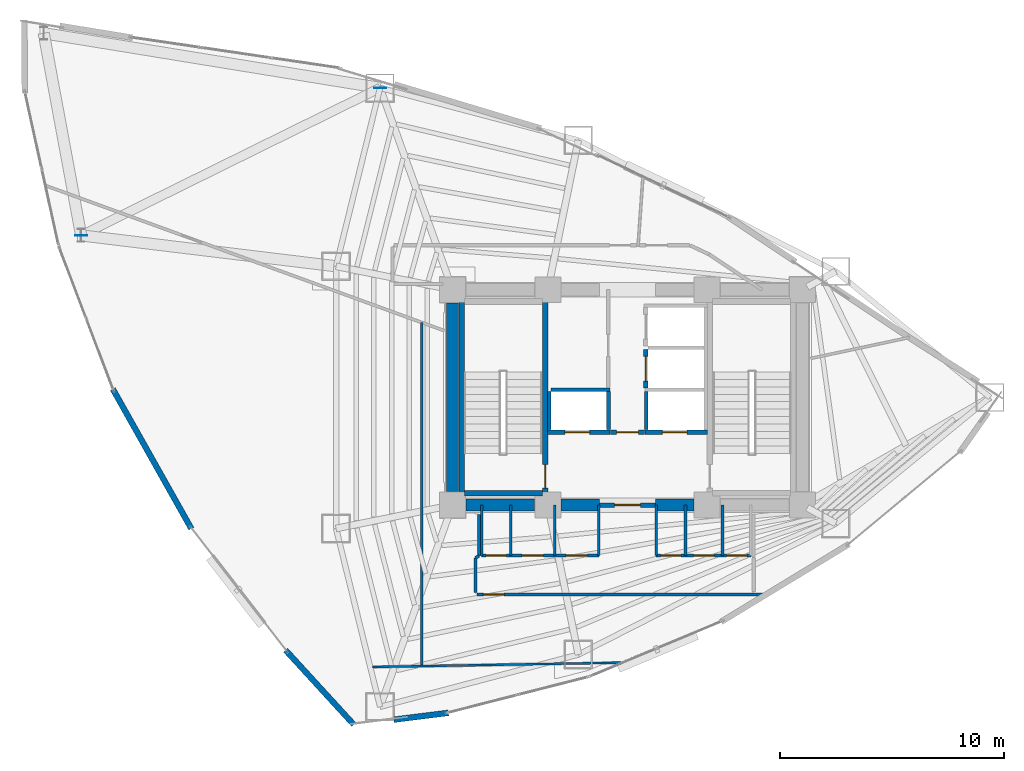
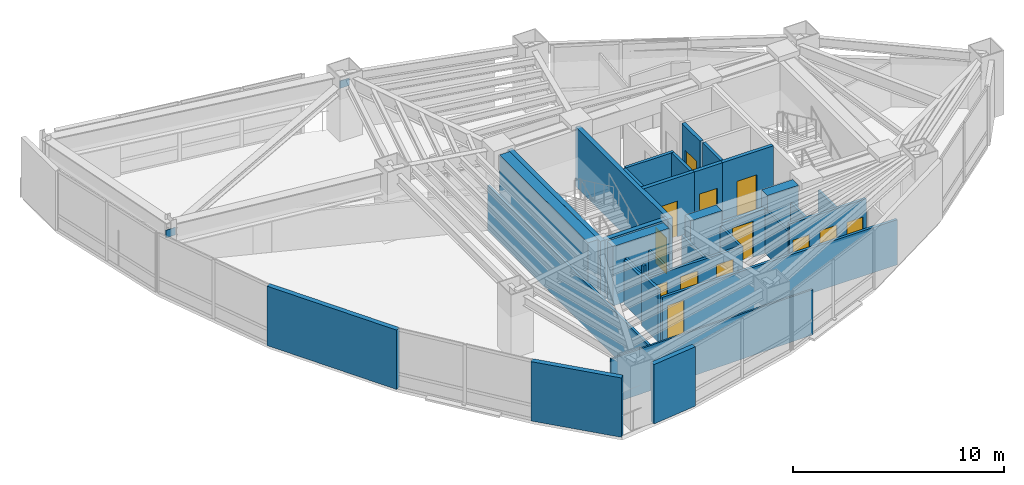
# One storey, part 19 of 25: 34 walls, 13 doors, 2 plates, 13 openings.
"""IFC4 building model written with IfcOpenShell, lengths in metres."""

from ifc_helpers import new_model, si_unit, direction, frame, frame_2d, origin, origin_2d, place, context, subcontext, project, spatial, rectangle, extrude, material, layer, layer_set, type_object, element, fill, save


model = new_model("IFC4")

# Units and contexts
model_context = context("Model", 3, precision=1e-05, world=origin(), true_north=direction((0.0, 1.0)))
body_context = subcontext(model_context, "Body", "Model", "MODEL_VIEW")
ifc_project = project(units=[si_unit("LENGTHUNIT", "METRE"), si_unit("AREAUNIT", "SQUARE_METRE"), si_unit("VOLUMEUNIT", "CUBIC_METRE"), si_unit("PLANEANGLEUNIT", "RADIAN"), si_unit("MASSUNIT", "GRAM", prefix="KILO")], contexts=[model_context])

# Site, building, storey
site_placement = place(None, origin())
site = spatial("IfcSite", under=ifc_project, at=site_placement, CompositionType="ELEMENT")
building_placement = place(site_placement, origin())
building = spatial("IfcBuilding", under=site, at=building_placement, Name="Menara Vayukalpa", CompositionType="ELEMENT")
storey_placement = place(building_placement, frame((0.0, 0.0, 115.139892578125)))
storey = spatial("IfcBuildingStorey", under=building, at=storey_placement, Name="L28", CompositionType="ELEMENT", Elevation=115.139892578125)

# Plates
ifc_material_1 = material(Name="Steel S355", Category="steel")
ifc_layer_1 = layer(ifc_material_1, 0.028076171875)
ifc_layer_set_1 = layer_set([ifc_layer_1], Name="Steel S355")
plate_type = type_object("IfcPlateType", Name="PLT-END1", PredefinedType="USERDEFINED", material=ifc_layer_set_1)
for number, where, z_axis, x_axis, name in (
    (1, (14.569091796875, 35.79736328125, 2.59521484375), (0.0, 0.0, 1.0), (1.0, 0.0, 0.0), "L28 Structural Brace End Gusset Plate 037"),
    (2, (1.239990234375, 29.22314453125, 2.59521484375), (0.0, 0.0, 1.0), (1.0, 0.0, 0.0), "L28 Structural Brace End Gusset Plate 038"),
):
    element("IfcPlate", number, at=place(storey_placement, frame(where, z_axis=z_axis, x_axis=x_axis)), inside=storey, type_object=plate_type, Name=name, ObjectType="GUSSET_PLATE", PredefinedType="USERDEFINED", context=body_context, shape_type="SweptSolid", body=[
        extrude(rectangle(XDim=0.5400390625, YDim=0.028076171875, at=origin_2d()), origin(), (0.0, 0.0, 1.0), 0.43994140625),
    ])

# Walls
ifc_material_2 = material(Name="Concrete C60/75", Category="concrete")
ifc_layer_2 = layer(ifc_material_2, 0.550048828125)
ifc_layer_set_2 = layer_set([ifc_layer_2], Name="Concrete C60/75")
wall_type_1 = type_object("IfcWallType", Name="WAL-CW550", PredefinedType="SHEAR", material=ifc_layer_set_2)
wall_1_placement = place(storey_placement, frame((18.39501953125, 17.199951171875, 0.0), z_axis=(0.0, 0.0, 1.0), x_axis=(1.0, 0.0, 0.0)))
element("IfcWall", 3, at=wall_1_placement, inside=storey, type_object=wall_type_1, Name="L28 Buttressed Core Shear Wall CWS1", PredefinedType="SHEAR", context=body_context, shape_type="SweptSolid", body=[
    extrude(rectangle(XDim=3.06005859375, YDim=0.550048828125, at=frame_2d((1.530029296875, 0.0))), origin(), (0.0, 0.0, 1.0), 3.440185546875),
])
wall_2_placement = place(storey_placement, frame((22.64501953125, 17.199951171875, 0.0), z_axis=(0.0, 0.0, 1.0), x_axis=(1.0, 0.0, 0.0)))
element("IfcWall", 4, at=wall_2_placement, inside=storey, type_object=wall_type_1, Name="L28 Buttressed Core Shear Wall CWS2", PredefinedType="SHEAR", context=body_context, shape_type="SweptSolid", body=[
    extrude(rectangle(XDim=1.705078125, YDim=0.550048828125, at=frame_2d((0.8525390625, 0.0))), origin(), (0.0, 0.0, 1.0), 3.440185546875),
])
wall_3_placement = place(storey_placement, frame((26.85009765625, 17.199951171875, 0.0), z_axis=(0.0, 0.0, 1.0), x_axis=(1.0, 0.0, 0.0)))
element("IfcWall", 5, at=wall_3_placement, inside=storey, type_object=wall_type_1, Name="L28 Buttressed Core Shear Wall CWS3", PredefinedType="SHEAR", context=body_context, shape_type="SweptSolid", body=[
    extrude(rectangle(XDim=1.704833984375, YDim=0.550048828125, at=frame_2d((0.8525390625, 0.0))), origin(), (0.0, 0.0, 1.0), 3.440185546875),
])
wall_4_placement = place(storey_placement, frame((17.800048828125, 17.794921875, 0.0), z_axis=(0.0, 0.0, 1.0), x_axis=(0.0, 1.0, 0.0)))
element("IfcWall", 6, at=wall_4_placement, inside=storey, type_object=wall_type_1, Name="L28 Buttressed Core Shear Wall CWW1", PredefinedType="SHEAR", context=body_context, shape_type="SweptSolid", body=[
    extrude(rectangle(XDim=8.41015625, YDim=0.550048828125, at=frame_2d((4.205078125, 0.0))), origin(), (0.0, 0.0, 1.0), 3.440185546875),
])
ifc_material_3 = material(Name="Insulated Precast Concrete C40/50", Category="concrete")
ifc_layer_3 = layer(ifc_material_3, 0.260009765625)
ifc_layer_set_3 = layer_set([ifc_layer_3], Name="Insulated Precast Concrete C40/50")
wall_type_2 = type_object("IfcWallType", Name="WAL-EXT260", PredefinedType="PARTITIONING", material=ifc_layer_set_3)
wall_5_placement = place(storey_placement, frame((6.150634765625, 16.147216796875, 0.0), z_axis=(0.0, 0.0, 1.0), x_axis=(-0.490230424354, 0.871592870002, 0.0)))
element("IfcWall", 7, at=wall_5_placement, inside=storey, type_object=wall_type_2, Name="L28 Perimeter Terracotta Pier Wall 12", PredefinedType="PARTITIONING", context=body_context, shape_type="SweptSolid", body=[
    extrude(rectangle(XDim=7.14697265625, YDim=0.260009765625, at=frame_2d((3.573486328125, 0.0))), origin(), (0.0, 0.0, 1.0), 3.440185546875),
])
wall_6_placement = place(storey_placement, frame((13.396240234375, 7.407958984375, 0.0), z_axis=(0.0, 0.0, 1.0), x_axis=(-0.675481616858, 0.737376827197, 0.0)))
element("IfcWall", 8, at=wall_6_placement, inside=storey, type_object=wall_type_2, Name="L28 Perimeter Terracotta Pier Wall 14", PredefinedType="PARTITIONING", context=body_context, shape_type="SweptSolid", body=[
    extrude(rectangle(XDim=4.504638671875, YDim=0.260009765625, at=frame_2d((2.25244140625, 0.0))), origin(), (0.0, 0.0, 1.0), 3.440185546875),
])
wall_7_placement = place(storey_placement, frame((17.61962890625, 7.9345703125, 0.0), z_axis=(0.0, 0.0, 1.0), x_axis=(-0.992311540598, -0.123765125925, 0.0)))
element("IfcWall", 9, at=wall_7_placement, inside=storey, type_object=wall_type_2, Name="L28 Perimeter Terracotta Pier Wall 15", PredefinedType="PARTITIONING", context=body_context, shape_type="SweptSolid", body=[
    extrude(rectangle(XDim=2.451904296875, YDim=0.260009765625, at=frame_2d((1.22607421875, 0.0))), origin(), (0.0, 0.0, 1.0), 3.440185546875),
])
ifc_material_4 = material(Name="Lightweight Concrete Blockwork C16/20", Category="masonry")
ifc_layer_4 = layer(ifc_material_4, 0.159912109375)
ifc_layer_set_4 = layer_set([ifc_layer_4], Name="Lightweight Concrete Blockwork C16/20")
wall_type_3 = type_object("IfcWallType", Name="WAL-FR150", PredefinedType="PARTITIONING", material=ifc_layer_set_4)
for number, where, z_axis, x_axis, name in (
    (10, (22.10498046875, 20.56005859375, 0.0), (0.0, 0.0, 1.0), (0.0, 1.0, 0.0), "L28 Interior Partition IW-L28-SHW-WW"),
    (11, (24.7548828125, 20.56005859375, 0.0), (0.0, 0.0, 1.0), (0.0, 1.0, 0.0), "L28 Interior Partition IW-L28-SHW-W1E"),
):
    element("IfcWall", number, at=place(storey_placement, frame(where, z_axis=z_axis, x_axis=x_axis)), inside=storey, type_object=wall_type_3, Name=name, PredefinedType="PARTITIONING", context=body_context, shape_type="SweptSolid", body=[
        extrude(rectangle(XDim=1.7099609375, YDim=0.159912109375, at=frame_2d((0.85498046875, 0.0))), origin(), (0.0, 0.0, 1.0), 3.440185546875),
    ])
wall_8_placement = place(storey_placement, frame((22.179931640625, 22.344970703125, 0.0), z_axis=(0.0, 0.0, 1.0), x_axis=(1.0, 0.0, 0.0)))
element("IfcWall", 12, at=wall_8_placement, inside=storey, type_object=wall_type_3, Name="L28 Interior Partition IW-L28-SHM-W12", PredefinedType="PARTITIONING", context=body_context, shape_type="SweptSolid", body=[
    extrude(rectangle(XDim=2.650146484375, YDim=0.159912109375, at=frame_2d((1.3251953125, 0.0))), origin(), (0.0, 0.0, 1.0), 3.440185546875),
])
wall_9_placement = place(storey_placement, frame((26.445068359375, 20.56005859375, 0.0), z_axis=(0.0, 0.0, 1.0), x_axis=(0.0, 1.0, 0.0)))
element("IfcWall", 13, at=wall_9_placement, inside=storey, type_object=wall_type_3, Name="L28 Interior Partition IW-L28-SHW-E1W", PredefinedType="PARTITIONING", context=body_context, shape_type="SweptSolid", body=[
    extrude(rectangle(XDim=1.7099609375, YDim=0.159912109375, at=frame_2d((0.85498046875, 0.0))), origin(), (0.0, 0.0, 1.0), 3.440185546875),
])

# Wall, opening, door
ifc_material_5 = material(Name="Lightweight Concrete Blockwork C16/20", Category="masonry")
ifc_layer_5 = layer(ifc_material_5, 0.199951171875)
ifc_layer_set_5 = layer_set([ifc_layer_5], Name="Lightweight Concrete Blockwork C16/20")
wall_type_4 = type_object("IfcWallType", Name="WAL-FR200", PredefinedType="PARTITIONING", material=ifc_layer_set_5)
wall_10_placement = place(storey_placement, frame((24.35009765625, 17.199951171875, 0.0), z_axis=(0.0, 0.0, 1.0), x_axis=(1.0, 0.0, 0.0)))
wall_10 = element("IfcWall", 14, at=wall_10_placement, inside=storey, type_object=wall_type_4, Name="L28 Interior Partition IW-L28-FFLS", PredefinedType="PARTITIONING", context=body_context, shape_type="SweptSolid", body=[
    extrude(rectangle(XDim=2.5, YDim=0.199951171875, at=frame_2d((1.25, 0.0))), origin(), (0.0, 0.0, 1.0), 2.570068359375),
])
opening_1_placement = place(wall_10_placement, frame((0.679931640625, 0.0, 0.0)))
opening_1 = element("IfcOpeningElement", 15, at=opening_1_placement, cuts=wall_10, Name="Opening ID2", PredefinedType="OPENING", context=body_context, shape_type="SweptSolid", body=[
    extrude(rectangle(XDim=1.14990234375, YDim=2.080078125, at=frame_2d((0.574951171875, 1.0400390625))), frame((0.0, 0.10986328125, 0.0), z_axis=(0.0, -1.0, 0.0), x_axis=(1.0, 0.0, 0.0)), (0.0, 0.0, 1.0), 0.219970703125),
])
ifc_material_6 = material(Name="Fire-Rated Powder-Coated Steel Door", Category="steel")
door_type_1 = type_object("IfcDoorType", Name="DR-FD60W", OperationType="NOTDEFINED", PredefinedType="DOOR", material=ifc_material_6)
door_1_placement = place(opening_1_placement, origin())
door_1 = element("IfcDoor", 16, at=door_1_placement, inside=storey, type_object=door_type_1, Name="L28 Interior Door DR-L28-FFLS", OperationType="SINGLE_SWING_LEFT", OverallHeight=2.080078125, OverallWidth=1.14990234375, PredefinedType="DOOR", context=body_context, shape_type="SweptSolid", body=[
    extrude(rectangle(XDim=1.14990234375, YDim=2.080078125, at=frame_2d((0.574951171875, 1.0400390625))), frame((0.0, 0.02490234375, 0.0), z_axis=(0.0, -1.0, 0.0), x_axis=(1.0, 0.0, 0.0)), (0.0, 0.0, 1.0), 0.050048828125),
])
fill(opening_1, door_1)

wall_11_placement = place(storey_placement, frame((24.840087890625, 20.449951171875, 0.0), z_axis=(0.0, 0.0, 1.0), x_axis=(1.0, 0.0, 0.0)))
wall_11 = element("IfcWall", 17, at=wall_11_placement, inside=storey, type_object=wall_type_4, Name="L28 Interior Partition IW-L28-FFLN", PredefinedType="PARTITIONING", context=body_context, shape_type="SweptSolid", body=[
    extrude(rectangle(XDim=1.52001953125, YDim=0.199951171875, at=frame_2d((0.760009765625, 0.0))), origin(), (0.0, 0.0, 1.0), 3.440185546875),
])
opening_2_placement = place(wall_11_placement, frame((0.27001953125, 0.0, 0.0)))
opening_2 = element("IfcOpeningElement", 18, at=opening_2_placement, cuts=wall_11, Name="Opening ID3", PredefinedType="OPENING", context=body_context, shape_type="SweptSolid", body=[
    extrude(rectangle(XDim=0.97998046875, YDim=2.06005859375, at=frame_2d((0.489990234375, 1.030029296875))), frame((0.0, 0.10986328125, 0.0), z_axis=(0.0, -1.0, 0.0), x_axis=(1.0, 0.0, 0.0)), (0.0, 0.0, 1.0), 0.219970703125),
])
ifc_material_7 = material(Name="Fire-Rated Powder-Coated Steel Door", Category="steel")
door_type_2 = type_object("IfcDoorType", Name="DR-FD60", OperationType="NOTDEFINED", PredefinedType="DOOR", material=ifc_material_7)
door_2_placement = place(opening_2_placement, origin())
door_2 = element("IfcDoor", 19, at=door_2_placement, inside=storey, type_object=door_type_2, Name="L28 Interior Door DR-L28-FFLN", OperationType="SINGLE_SWING_RIGHT", OverallHeight=2.06005859375, OverallWidth=0.97998046875, PredefinedType="DOOR", context=body_context, shape_type="SweptSolid", body=[
    extrude(rectangle(XDim=0.97998046875, YDim=2.06005859375, at=frame_2d((0.489990234375, 1.030029296875))), frame((0.0, 0.02490234375, 0.0), z_axis=(0.0, -1.0, 0.0), x_axis=(1.0, 0.0, 0.0)), (0.0, 0.0, 1.0), 0.050048828125),
])
fill(opening_2, door_2)

wall_12_placement = place(storey_placement, frame((22.030029296875, 20.449951171875, 0.0), z_axis=(0.0, 0.0, 1.0), x_axis=(1.0, 0.0, 0.0)))
wall_12 = element("IfcWall", 20, at=wall_12_placement, inside=storey, type_object=wall_type_4, Name="L28 Interior Partition IW-L28-SH-W1", PredefinedType="PARTITIONING", context=body_context, shape_type="SweptSolid", body=[
    extrude(rectangle(XDim=2.800048828125, YDim=0.199951171875, at=frame_2d((1.39990234375, 0.0))), origin(), (0.0, 0.0, 1.0), 3.440185546875),
])
opening_3_placement = place(wall_12_placement, frame((0.780029296875, 0.0, 0.0)))
opening_3 = element("IfcOpeningElement", 21, at=opening_3_placement, cuts=wall_12, Name="Opening LD1", PredefinedType="OPENING", context=body_context, shape_type="SweptSolid", body=[
    extrude(rectangle(XDim=1.10009765625, YDim=2.080078125, at=frame_2d((0.550048828125, 1.0400390625))), frame((0.0, 0.10986328125, 0.0), z_axis=(0.0, -1.0, 0.0), x_axis=(1.0, 0.0, 0.0)), (0.0, 0.0, 1.0), 0.219970703125),
])
ifc_material_8 = material(Name="Brushed Stainless Steel 316 Lift Door", Category="steel")
door_type_3 = type_object("IfcDoorType", Name="DR-LD110", OperationType="NOTDEFINED", PredefinedType="DOOR", material=ifc_material_8)
door_3_placement = place(opening_3_placement, origin())
door_3 = element("IfcDoor", 22, at=door_3_placement, inside=storey, type_object=door_type_3, Name="L28 Interior Door DR-L28-LD-W1", OperationType="DOUBLE_DOOR_SLIDING", OverallHeight=2.080078125, OverallWidth=1.10009765625, PredefinedType="DOOR", context=body_context, shape_type="SweptSolid", body=[
    extrude(rectangle(XDim=1.10009765625, YDim=2.080078125, at=frame_2d((0.550048828125, 1.0400390625))), frame((0.0, 0.02490234375, 0.0), z_axis=(0.0, -1.0, 0.0), x_axis=(1.0, 0.0, 0.0)), (0.0, 0.0, 1.0), 0.050048828125),
])
fill(opening_3, door_3)

wall_13_placement = place(storey_placement, frame((26.3701171875, 20.449951171875, 0.0), z_axis=(0.0, 0.0, 1.0), x_axis=(1.0, 0.0, 0.0)))
wall_13 = element("IfcWall", 23, at=wall_13_placement, inside=storey, type_object=wall_type_4, Name="L28 Interior Partition IW-L28-SH-E1", PredefinedType="PARTITIONING", context=body_context, shape_type="SweptSolid", body=[
    extrude(rectangle(XDim=2.7998046875, YDim=0.199951171875, at=frame_2d((1.39990234375, 0.0))), origin(), (0.0, 0.0, 1.0), 3.440185546875),
])
opening_4_placement = place(wall_13_placement, frame((0.780029296875, 0.0, 0.0)))
opening_4 = element("IfcOpeningElement", 24, at=opening_4_placement, cuts=wall_13, Name="Opening LD1", PredefinedType="OPENING", context=body_context, shape_type="SweptSolid", body=[
    extrude(rectangle(XDim=1.10009765625, YDim=2.080078125, at=frame_2d((0.550048828125, 1.0400390625))), frame((0.0, 0.10986328125, 0.0), z_axis=(0.0, -1.0, 0.0), x_axis=(1.0, 0.0, 0.0)), (0.0, 0.0, 1.0), 0.219970703125),
])
door_4_placement = place(opening_4_placement, origin())
door_4 = element("IfcDoor", 25, at=door_4_placement, inside=storey, type_object=door_type_3, Name="L28 Interior Door DR-L28-LD-E1", OperationType="DOUBLE_DOOR_SLIDING", OverallHeight=2.080078125, OverallWidth=1.10009765625, PredefinedType="DOOR", context=body_context, shape_type="SweptSolid", body=[
    extrude(rectangle(XDim=1.10009765625, YDim=2.080078125, at=frame_2d((0.550048828125, 1.0400390625))), frame((0.0, 0.02490234375, 0.0), z_axis=(0.0, -1.0, 0.0), x_axis=(1.0, 0.0, 0.0)), (0.0, 0.0, 1.0), 0.050048828125),
])
fill(opening_4, door_4)

wall_14_placement = place(storey_placement, frame((26.419921875, 22.419921875, 0.0), z_axis=(0.0, 0.0, 1.0), x_axis=(0.0, 1.0, 0.0)))
wall_14 = element("IfcWall", 26, at=wall_14_placement, inside=storey, type_object=wall_type_4, Name="L28 Interior Partition IW-L28-SH-E3", PredefinedType="PARTITIONING", context=body_context, shape_type="SweptSolid", body=[
    extrude(rectangle(XDim=1.719970703125, YDim=0.199951171875, at=frame_2d((0.85986328125, 0.0))), origin(), (0.0, 0.0, 1.0), 3.440185546875),
])
opening_5_placement = place(wall_14_placement, frame((0.31005859375, 0.0, 0.0)))
opening_5 = element("IfcOpeningElement", 27, at=opening_5_placement, cuts=wall_14, Name="Opening LD1", PredefinedType="OPENING", context=body_context, shape_type="SweptSolid", body=[
    extrude(rectangle(XDim=1.10009765625, YDim=2.080078125, at=frame_2d((0.550048828125, 1.0400390625))), frame((0.0, 0.10986328125, 0.0), z_axis=(0.0, -1.0, 0.0), x_axis=(1.0, 0.0, 0.0)), (0.0, 0.0, 1.0), 0.219970703125),
])
door_5_placement = place(opening_5_placement, origin())
door_5 = element("IfcDoor", 28, at=door_5_placement, inside=storey, type_object=door_type_3, Name="L28 Interior Door DR-L28-LD-E3", OperationType="DOUBLE_DOOR_SLIDING", OverallHeight=2.080078125, OverallWidth=1.10009765625, PredefinedType="DOOR", context=body_context, shape_type="SweptSolid", body=[
    extrude(rectangle(XDim=1.10009765625, YDim=2.080078125, at=frame_2d((0.550048828125, 1.0400390625))), frame((0.0, 0.02490234375, 0.0), z_axis=(0.0, -1.0, 0.0), x_axis=(1.0, 0.0, 0.0)), (0.0, 0.0, 1.0), 0.050048828125),
])
fill(opening_5, door_5)

# Walls
ifc_material_9 = material(Name="Glazed Demountable Office Partition", Category="glass")
ifc_layer_6 = layer(ifc_material_9, 0.094970703125)
ifc_layer_set_6 = layer_set([ifc_layer_6], Name="Glazed Demountable Office Partition")
wall_type_5 = type_object("IfcWallType", Name="WAL-PT100", PredefinedType="PARTITIONING", material=ifc_layer_set_6)
wall_15_placement = place(storey_placement, frame((14.22900390625, 9.97998046875, 0.0), z_axis=(0.0, 0.0, 1.0), x_axis=(0.99984780162, 0.017446306083, 0.0)))
element("IfcWall", 29, at=wall_15_placement, inside=storey, type_object=wall_type_5, Name="L28 Interior Partition IW-L28-RDIV04", PredefinedType="PARTITIONING", context=body_context, shape_type="SweptSolid", body=[
    extrude(rectangle(XDim=11.195068359375, YDim=0.094970703125, at=frame_2d((5.59765625, 0.0))), origin(), (0.0, 0.0, 1.0), 2.6201171875),
])
ifc_material_10 = material(Name="Acoustic Mineral Stud Partition", Category="masonry")
ifc_layer_7 = layer(ifc_material_10, 0.110107421875)
ifc_layer_set_7 = layer_set([ifc_layer_7], Name="Acoustic Mineral Stud Partition")
wall_type_6 = type_object("IfcWallType", Name="WAL-PT110", PredefinedType="PARTITIONING", material=ifc_layer_set_7)
for number, where, z_axis, x_axis, name in (
    (30, (20.39990234375, 14.949951171875, 0.0), (0.0, 0.0, 1.0), (0.0, 1.0, 0.0), "L28 Interior Partition IW-L28-SVCD-02"),
    (31, (26.8798828125, 14.949951171875, 0.0), (0.0, 0.0, 1.0), (0.0, 1.0, 0.0), "L28 Interior Partition IW-L28-SVCD-05"),
):
    element("IfcWall", number, at=place(storey_placement, frame(where, z_axis=z_axis, x_axis=x_axis)), inside=storey, type_object=wall_type_6, Name=name, PredefinedType="PARTITIONING", context=body_context, shape_type="SweptSolid", body=[
        extrude(rectangle(XDim=2.25, YDim=0.110107421875, at=frame_2d((1.125, 0.0))), origin(), (0.0, 0.0, 1.0), 2.570068359375),
    ])
ifc_material_11 = material(Name="Gypsum Drywall Steel Stud Assembly", Category="steel")
ifc_layer_8 = layer(ifc_material_11, 0.125)
ifc_layer_set_8 = layer_set([ifc_layer_8], Name="Gypsum Drywall Steel Stud Assembly")
wall_type_7 = type_object("IfcWallType", Name="WAL-PT125", PredefinedType="PARTITIONING", material=ifc_layer_set_8)
for number, where, z_axis, x_axis, name in (
    (32, (19.10009765625, 14.949951171875, 0.0), (0.0, 0.0, 1.0), (0.0, 1.0, 0.0), "L28 Interior Partition IW-L28-SVCD-01"),
    (33, (22.360107421875, 14.949951171875, 0.0), (0.0, 0.0, 1.0), (0.0, 1.0, 0.0), "L28 Interior Partition IW-L28-SVCD-03"),
    (34, (24.320068359375, 14.949951171875, 0.0), (0.0, 0.0, 1.0), (0.0, 1.0, 0.0), "L28 Interior Partition IW-L28-SVCD-04"),
    (35, (28.18994140625, 14.949951171875, 0.0), (0.0, 0.0, 1.0), (0.0, 1.0, 0.0), "L28 Interior Partition IW-L28-SVCD-06"),
    (36, (29.830078125, 14.949951171875, 0.0), (0.0, 0.0, 1.0), (0.0, 1.0, 0.0), "L28 Interior Partition IW-L28-SVCD-07"),
):
    element("IfcWall", number, at=place(storey_placement, frame(where, z_axis=z_axis, x_axis=x_axis)), inside=storey, type_object=wall_type_7, Name=name, PredefinedType="PARTITIONING", context=body_context, shape_type="SweptSolid", body=[
        extrude(rectangle(XDim=2.25, YDim=0.125, at=frame_2d((1.125, 0.0))), origin(), (0.0, 0.0, 1.0), 2.570068359375),
    ])
wall_16_placement = place(storey_placement, frame((16.423583984375, 10.0283203125, 0.0), z_axis=(0.0, 0.0, 1.0), x_axis=(0.0, 1.0, 0.0)))
element("IfcWall", 37, at=wall_16_placement, inside=storey, type_object=wall_type_7, Name="L28 Interior Partition IW-L28-RDIV05", PredefinedType="PARTITIONING", context=body_context, shape_type="SweptSolid", body=[
    extrude(rectangle(XDim=15.301025390625, YDim=0.125, at=frame_2d((7.650390625, 0.0))), origin(), (0.0, 0.0, 1.0), 2.6201171875),
])

# Wall, openings, doors
ifc_material_12 = material(Name="Gypsum Drywall Acoustic Stud Assembly", Category="masonry")
ifc_layer_9 = layer(ifc_material_12, 0.14501953125)
ifc_layer_set_9 = layer_set([ifc_layer_9], Name="Gypsum Drywall Acoustic Stud Assembly")
wall_type_8 = type_object("IfcWallType", Name="WAL-PT150", PredefinedType="PARTITIONING", material=ifc_layer_set_9)
wall_17_placement = place(storey_placement, frame((19.10009765625, 14.949951171875, 0.0), z_axis=(0.0, 0.0, 1.0), x_axis=(1.0, 0.0, 0.0)))
wall_17 = element("IfcWall", 38, at=wall_17_placement, inside=storey, type_object=wall_type_8, Name="L28 Interior Partition IW-L28-SVCS-W", PredefinedType="PARTITIONING", context=body_context, shape_type="SweptSolid", body=[
    extrude(rectangle(XDim=5.219970703125, YDim=0.14501953125, at=frame_2d((2.60986328125, 0.0))), origin(), (0.0, 0.0, 1.0), 2.6201171875),
])
opening_6_placement = place(wall_17_placement, frame((0.199951171875, 0.0, 0.0)))
opening_6 = element("IfcOpeningElement", 39, at=opening_6_placement, cuts=wall_17, Name="Opening ID7", PredefinedType="OPENING", context=body_context, shape_type="SweptSolid", body=[
    extrude(rectangle(XDim=0.89990234375, YDim=2.02001953125, at=frame_2d((0.449951171875, 1.010009765625))), frame((0.0, 0.08251953125, 0.0), z_axis=(0.0, -1.0, 0.0), x_axis=(1.0, 0.0, 0.0)), (0.0, 0.0, 1.0), 0.1650390625),
])
opening_7_placement = place(wall_17_placement, frame((1.804931640625, 0.0, 0.0)))
opening_7 = element("IfcOpeningElement", 40, at=opening_7_placement, cuts=wall_17, Name="Opening ID5", PredefinedType="OPENING", context=body_context, shape_type="SweptSolid", body=[
    extrude(rectangle(XDim=0.949951171875, YDim=2.06005859375, at=frame_2d((0.47509765625, 1.030029296875))), frame((0.0, 0.08251953125, 0.0), z_axis=(0.0, -1.0, 0.0), x_axis=(1.0, 0.0, 0.0)), (0.0, 0.0, 1.0), 0.1650390625),
])
opening_8_placement = place(wall_17_placement, frame((3.764892578125, 0.0, 0.0)))
opening_8 = element("IfcOpeningElement", 41, at=opening_8_placement, cuts=wall_17, Name="Opening ID5", PredefinedType="OPENING", context=body_context, shape_type="SweptSolid", body=[
    extrude(rectangle(XDim=0.949951171875, YDim=2.06005859375, at=frame_2d((0.47509765625, 1.030029296875))), frame((0.0, 0.08251953125, 0.0), z_axis=(0.0, -1.0, 0.0), x_axis=(1.0, 0.0, 0.0)), (0.0, 0.0, 1.0), 0.1650390625),
])
ifc_material_13 = material(Name="Acoustic Hardwood Veneer Timber Door", Category="wood")
door_type_4 = type_object("IfcDoorType", Name="DR-INT95", OperationType="NOTDEFINED", PredefinedType="DOOR", material=ifc_material_13)
door_6_placement = place(opening_7_placement, origin())
door_6 = element("IfcDoor", 42, at=door_6_placement, inside=storey, type_object=door_type_4, Name="L28 Interior Door DR-L28-AWC", OperationType="SINGLE_SWING_LEFT", OverallHeight=2.06005859375, OverallWidth=0.949951171875, PredefinedType="DOOR", context=body_context, shape_type="SweptSolid", body=[
    extrude(rectangle(XDim=0.949951171875, YDim=2.06005859375, at=frame_2d((0.47509765625, 1.030029296875))), frame((0.0, 0.02490234375, 0.0), z_axis=(0.0, -1.0, 0.0), x_axis=(1.0, 0.0, 0.0)), (0.0, 0.0, 1.0), 0.050048828125),
])
fill(opening_7, door_6)
door_7_placement = place(opening_8_placement, origin())
door_7 = element("IfcDoor", 43, at=door_7_placement, inside=storey, type_object=door_type_4, Name="L28 Interior Door DR-L28-SWC", OperationType="SINGLE_SWING_RIGHT", OverallHeight=2.06005859375, OverallWidth=0.949951171875, PredefinedType="DOOR", context=body_context, shape_type="SweptSolid", body=[
    extrude(rectangle(XDim=0.949951171875, YDim=2.06005859375, at=frame_2d((0.47509765625, 1.030029296875))), frame((0.0, 0.02490234375, 0.0), z_axis=(0.0, -1.0, 0.0), x_axis=(1.0, 0.0, 0.0)), (0.0, 0.0, 1.0), 0.050048828125),
])
fill(opening_8, door_7)
ifc_material_14 = material(Name="Powder-Coated Steel Riser Access Door", Category="steel")
door_type_5 = type_object("IfcDoorType", Name="DR-RISER", OperationType="NOTDEFINED", PredefinedType="DOOR", material=ifc_material_14)
door_8_placement = place(opening_6_placement, origin())
door_8 = element("IfcDoor", 44, at=door_8_placement, inside=storey, type_object=door_type_5, Name="L28 Interior Door DR-L28-ELR", OperationType="SINGLE_SWING_RIGHT", OverallHeight=2.02001953125, OverallWidth=0.89990234375, PredefinedType="DOOR", context=body_context, shape_type="SweptSolid", body=[
    extrude(rectangle(XDim=0.89990234375, YDim=2.02001953125, at=frame_2d((0.449951171875, 1.010009765625))), frame((0.0, 0.02490234375, 0.0), z_axis=(0.0, -1.0, 0.0), x_axis=(1.0, 0.0, 0.0)), (0.0, 0.0, 1.0), 0.050048828125),
])
fill(opening_6, door_8)

wall_18_placement = place(storey_placement, frame((26.8798828125, 14.949951171875, 0.0), z_axis=(0.0, 0.0, 1.0), x_axis=(1.0, 0.0, 0.0)))
wall_18 = element("IfcWall", 45, at=wall_18_placement, inside=storey, type_object=wall_type_8, Name="L28 Interior Partition IW-L28-SVCS-E", PredefinedType="PARTITIONING", context=body_context, shape_type="SweptSolid", body=[
    extrude(rectangle(XDim=4.22021484375, YDim=0.14501953125, at=frame_2d((2.110107421875, 0.0))), origin(), (0.0, 0.0, 1.0), 3.02001953125),
])
opening_9_placement = place(wall_18_placement, frame((0.199951171875, 0.0, 0.0)))
opening_9 = element("IfcOpeningElement", 46, at=opening_9_placement, cuts=wall_18, Name="Opening ID7", PredefinedType="OPENING", context=body_context, shape_type="SweptSolid", body=[
    extrude(rectangle(XDim=0.89990234375, YDim=2.02001953125, at=frame_2d((0.449951171875, 1.010009765625))), frame((0.0, 0.08251953125, 0.0), z_axis=(0.0, -1.0, 0.0), x_axis=(1.0, 0.0, 0.0)), (0.0, 0.0, 1.0), 0.1650390625),
])
opening_10_placement = place(wall_18_placement, frame((1.669921875, 0.0, 0.0)))
opening_10 = element("IfcOpeningElement", 47, at=opening_10_placement, cuts=wall_18, Name="Opening ID6", PredefinedType="OPENING", context=body_context, shape_type="SweptSolid", body=[
    extrude(rectangle(XDim=0.919921875, YDim=2.050048828125, at=frame_2d((0.4599609375, 1.02490234375))), frame((0.0, 0.08251953125, 0.0), z_axis=(0.0, -1.0, 0.0), x_axis=(1.0, 0.0, 0.0)), (0.0, 0.0, 1.0), 0.1650390625),
])
opening_11_placement = place(wall_18_placement, frame((3.139892578125, 0.0, 0.0)))
opening_11 = element("IfcOpeningElement", 48, at=opening_11_placement, cuts=wall_18, Name="Opening ID7", PredefinedType="OPENING", context=body_context, shape_type="SweptSolid", body=[
    extrude(rectangle(XDim=0.89990234375, YDim=2.02001953125, at=frame_2d((0.449951171875, 1.010009765625))), frame((0.0, 0.08251953125, 0.0), z_axis=(0.0, -1.0, 0.0), x_axis=(1.0, 0.0, 0.0)), (0.0, 0.0, 1.0), 0.1650390625),
])
ifc_material_15 = material(Name="Acoustic Hardwood Veneer Timber Door", Category="wood")
door_type_6 = type_object("IfcDoorType", Name="DR-INT92", OperationType="NOTDEFINED", PredefinedType="DOOR", material=ifc_material_15)
door_9_placement = place(opening_10_placement, origin())
door_9 = element("IfcDoor", 49, at=door_9_placement, inside=storey, type_object=door_type_6, Name="L28 Interior Door DR-L28-KSV2", OperationType="SINGLE_SWING_RIGHT", OverallHeight=2.050048828125, OverallWidth=0.919921875, PredefinedType="DOOR", context=body_context, shape_type="SweptSolid", body=[
    extrude(rectangle(XDim=0.919921875, YDim=2.050048828125, at=frame_2d((0.4599609375, 1.02490234375))), frame((0.0, 0.02490234375, 0.0), z_axis=(0.0, -1.0, 0.0), x_axis=(1.0, 0.0, 0.0)), (0.0, 0.0, 1.0), 0.050048828125),
])
fill(opening_10, door_9)
door_10_placement = place(opening_9_placement, origin())
door_10 = element("IfcDoor", 50, at=door_10_placement, inside=storey, type_object=door_type_5, Name="L28 Interior Door DR-L28-KSV1", OperationType="SINGLE_SWING_LEFT", OverallHeight=2.02001953125, OverallWidth=0.89990234375, PredefinedType="DOOR", context=body_context, shape_type="SweptSolid", body=[
    extrude(rectangle(XDim=0.89990234375, YDim=2.02001953125, at=frame_2d((0.449951171875, 1.010009765625))), frame((0.0, 0.02490234375, 0.0), z_axis=(0.0, -1.0, 0.0), x_axis=(1.0, 0.0, 0.0)), (0.0, 0.0, 1.0), 0.050048828125),
])
fill(opening_9, door_10)
door_11_placement = place(opening_11_placement, origin())
door_11 = element("IfcDoor", 51, at=door_11_placement, inside=storey, type_object=door_type_5, Name="L28 Interior Door DR-L28-SMD", OperationType="SINGLE_SWING_LEFT", OverallHeight=2.02001953125, OverallWidth=0.89990234375, PredefinedType="DOOR", context=body_context, shape_type="SweptSolid", body=[
    extrude(rectangle(XDim=0.89990234375, YDim=2.02001953125, at=frame_2d((0.449951171875, 1.010009765625))), frame((0.0, 0.02490234375, 0.0), z_axis=(0.0, -1.0, 0.0), x_axis=(1.0, 0.0, 0.0)), (0.0, 0.0, 1.0), 0.050048828125),
])
fill(opening_11, door_11)

# Walls
wall_19_placement = place(storey_placement, frame((18.97998046875, 16.780029296875, 0.0), z_axis=(0.0, 0.0, 1.0), x_axis=(0.0, -1.0, 0.0)))
element("IfcWall", 52, at=wall_19_placement, inside=storey, type_object=wall_type_8, Name="L28 Interior Partition IW-L28-CRM02-1", PredefinedType="PARTITIONING", context=body_context, shape_type="SweptSolid", body=[
    extrude(rectangle(XDim=1.85009765625, YDim=0.14501953125, at=frame_2d((0.925048828125, 0.0))), origin(), (0.0, 0.0, 1.0), 2.570068359375),
])
wall_20_placement = place(storey_placement, frame((18.820068359375, 14.85009765625, 0.0), z_axis=(0.0, 0.0, 1.0), x_axis=(0.0, -1.0, 0.0)))
element("IfcWall", 53, at=wall_20_placement, inside=storey, type_object=wall_type_8, Name="L28 Interior Partition IW-L28-CRM02-2", PredefinedType="PARTITIONING", context=body_context, shape_type="SweptSolid", body=[
    extrude(rectangle(XDim=1.56005859375, YDim=0.14501953125, at=frame_2d((0.780029296875, 0.0))), origin(), (0.0, 0.0, 1.0), 3.02001953125),
])

# Wall, opening, door
wall_21_placement = place(storey_placement, frame((18.89990234375, 13.2099609375, 0.0), z_axis=(0.0, 0.0, 1.0), x_axis=(1.0, 0.0, 0.0)))
wall_21 = element("IfcWall", 54, at=wall_21_placement, inside=storey, type_object=wall_type_8, Name="L28 Interior Partition IW-L28-CRM02-3", PredefinedType="PARTITIONING", context=body_context, shape_type="SweptSolid", body=[
    extrude(rectangle(XDim=12.884033203125, YDim=0.14501953125, at=frame_2d((6.44189453125, 0.0))), origin(), (0.0, 0.0, 1.0), 2.6201171875),
])
opening_12_placement = place(wall_21_placement, frame((0.280029296875, 0.0, 0.0)))
opening_12 = element("IfcOpeningElement", 55, at=opening_12_placement, cuts=wall_21, Name="Opening ID6", PredefinedType="OPENING", context=body_context, shape_type="SweptSolid", body=[
    extrude(rectangle(XDim=0.919921875, YDim=2.050048828125, at=frame_2d((0.4599609375, 1.02490234375))), frame((0.0, 0.08251953125, 0.0), z_axis=(0.0, -1.0, 0.0), x_axis=(1.0, 0.0, 0.0)), (0.0, 0.0, 1.0), 0.1650390625),
])
door_12_placement = place(opening_12_placement, origin())
door_12 = element("IfcDoor", 56, at=door_12_placement, inside=storey, type_object=door_type_6, Name="L28 Interior Door DR-L28-RM02", OperationType="SINGLE_SWING_RIGHT", OverallHeight=2.050048828125, OverallWidth=0.919921875, PredefinedType="DOOR", context=body_context, shape_type="SweptSolid", body=[
    extrude(rectangle(XDim=0.919921875, YDim=2.050048828125, at=frame_2d((0.4599609375, 1.02490234375))), frame((0.0, 0.02490234375, 0.0), z_axis=(0.0, -1.0, 0.0), x_axis=(1.0, 0.0, 0.0)), (0.0, 0.0, 1.0), 0.050048828125),
])
fill(opening_12, door_12)

# Walls
wall_22_placement = place(storey_placement, frame((18.820068359375, 14.85009765625, 0.0), z_axis=(0.0, 0.0, 1.0), x_axis=(0.89470021502, 0.446667130247, 0.0)))
element("IfcWall", 57, at=wall_22_placement, inside=storey, type_object=wall_type_8, Name="L28 Interior Partition IW-L28-CRM02-2-R0", PredefinedType="PARTITIONING", context=body_context, shape_type="SweptSolid", body=[
    extrude(rectangle(XDim=0.1787109375, YDim=0.14501953125, at=frame_2d((0.08935546875, 0.0))), origin(), (0.0, 0.0, 1.0), 3.440185546875),
])
ifc_material_16 = material(Name="Concrete C50/60", Category="concrete")
ifc_layer_10 = layer(ifc_material_16, 0.25)
ifc_layer_set_10 = layer_set([ifc_layer_10], Name="Concrete C50/60")
wall_type_9 = type_object("IfcWallType", Name="WAL-SW250", PredefinedType="SHEAR", material=ifc_layer_set_10)
wall_23_placement = place(storey_placement, frame((18.2041015625, 17.60009765625, 0.0), z_axis=(0.0, 0.0, 1.0), x_axis=(0.0, 1.0, 0.0)))
element("IfcWall", 58, at=wall_23_placement, inside=storey, type_object=wall_type_9, Name="L28 ST1 Structural Stair Shaft Wall W", PredefinedType="SHEAR", context=body_context, shape_type="SweptSolid", body=[
    extrude(rectangle(XDim=8.7998046875, YDim=0.25, at=frame_2d((4.39990234375, 0.0))), origin(), (0.0, 0.0, 1.0), 3.440185546875),
])

# Wall, opening, door
wall_24_placement = place(storey_placement, frame((21.925048828125, 17.60009765625, 0.0), z_axis=(0.0, 0.0, 1.0), x_axis=(0.0, 1.0, 0.0)))
wall_24 = element("IfcWall", 59, at=wall_24_placement, inside=storey, type_object=wall_type_9, Name="L28 ST1 Structural Stair Shaft Wall E", PredefinedType="SHEAR", context=body_context, shape_type="SweptSolid", body=[
    extrude(rectangle(XDim=8.7998046875, YDim=0.25, at=frame_2d((4.39990234375, 0.0))), origin(), (0.0, 0.0, 1.0), 3.440185546875),
])
opening_13_placement = place(wall_24_placement, frame((0.35009765625, 0.0, 0.0)))
opening_13 = element("IfcOpeningElement", 60, at=opening_13_placement, cuts=wall_24, Name="Opening ID1", PredefinedType="OPENING", context=body_context, shape_type="SweptSolid", body=[
    extrude(rectangle(XDim=1.050048828125, YDim=2.080078125, at=frame_2d((0.52490234375, 1.0400390625))), frame((0.0, 0.135009765625, 0.0), z_axis=(0.0, -1.0, 0.0), x_axis=(1.0, 0.0, 0.0)), (0.0, 0.0, 1.0), 0.27001953125),
])
ifc_material_17 = material(Name="Fire-Rated Powder-Coated Steel Door", Category="steel")
door_type_7 = type_object("IfcDoorType", Name="DR-FD120", OperationType="NOTDEFINED", PredefinedType="DOOR", material=ifc_material_17)
door_13_placement = place(opening_13_placement, origin())
door_13 = element("IfcDoor", 61, at=door_13_placement, inside=storey, type_object=door_type_7, Name="L28 Stair Exit Door DR-L28-ST1", OperationType="SINGLE_SWING_LEFT", OverallHeight=2.080078125, OverallWidth=1.050048828125, PredefinedType="DOOR", context=body_context, shape_type="SweptSolid", body=[
    extrude(rectangle(XDim=1.050048828125, YDim=2.080078125, at=frame_2d((0.52490234375, 1.0400390625))), frame((0.0, 0.02490234375, 0.0), z_axis=(0.0, -1.0, 0.0), x_axis=(1.0, 0.0, 0.0)), (0.0, 0.0, 1.0), 0.050048828125),
])
fill(opening_13, door_13)

# Wall
wall_25_placement = place(storey_placement, frame((18.3291015625, 17.72509765625, 0.0), z_axis=(0.0, 0.0, 1.0), x_axis=(1.0, 0.0, 0.0)))
element("IfcWall", 62, at=wall_25_placement, inside=storey, type_object=wall_type_9, Name="L28 ST1 Structural Stair Shaft Wall S", PredefinedType="SHEAR", context=body_context, shape_type="SweptSolid", body=[
    extrude(rectangle(XDim=3.470947265625, YDim=0.25, at=frame_2d((1.7353515625, 0.0))), origin(), (0.0, 0.0, 1.0), 3.440185546875),
])

save(model, "model.ifc")
